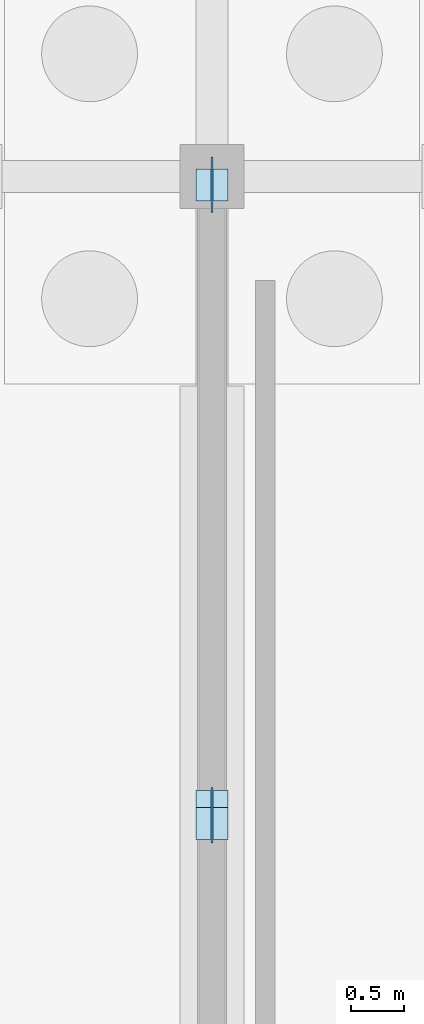
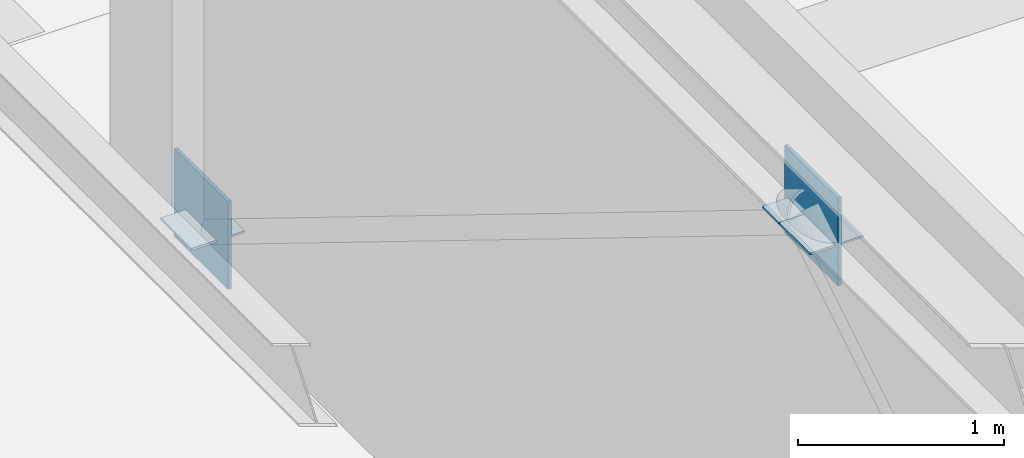
# One storey, part 24 of 40: 5 plates.
"""IFC4 building model written with IfcOpenShell, lengths in metres."""

from ifc_helpers import new_model, si_unit, direction, frame, origin, origin_2d, place, context, subcontext, project, spatial, rectangle, extrude, material, layer, layer_set, type_object, element, save


model = new_model("IFC4")

# Units and contexts
model_context = context("Model", 3, precision=1e-05, world=origin(), true_north=direction((0.0, 1.0)))
body_context = subcontext(model_context, "Body", "Model", "MODEL_VIEW")
ifc_project = project(units=[si_unit("LENGTHUNIT", "METRE"), si_unit("AREAUNIT", "SQUARE_METRE"), si_unit("VOLUMEUNIT", "CUBIC_METRE"), si_unit("PLANEANGLEUNIT", "RADIAN"), si_unit("MASSUNIT", "GRAM", prefix="KILO")], contexts=[model_context])

# Site, building, storey
site_placement = place(None, origin())
site = spatial("IfcSite", under=ifc_project, at=site_placement, CompositionType="ELEMENT")
building_placement = place(site_placement, origin())
building = spatial("IfcBuilding", under=site, at=building_placement, Name="Montelvaro Courts of Justice", CompositionType="ELEMENT")
storey_placement = place(building_placement, frame((0.0, 0.0, -4.5)))
storey = spatial("IfcBuildingStorey", under=building, at=storey_placement, Name="B01", CompositionType="ELEMENT", Elevation=-4.5)

# Plates
ifc_material = material(Name="Steel S355", Category="steel")
ifc_layer_1 = layer(ifc_material, 0.011962890625)
ifc_layer_set_1 = layer_set([ifc_layer_1], Name="Steel S355")
plate_type_1 = type_object("IfcPlateType", Name="EndCapPlate_12", PredefinedType="USERDEFINED", material=ifc_layer_set_1)
for number, where, z_axis, x_axis, name in (
    (1, (117.0, 59.919921875, 3.80419921875), (0.0, 0.0, 1.0), (1.0, 0.0, 0.0), "Brace End Cap Plate CP-01 CBF4-B01-1B"),
    (2, (117.0, 65.919921875, 0.19384765625), (0.0, 0.0, 1.0), (1.0, 0.0, 0.0), "Brace End Cap Plate CP-01 CBF4-B01-2A"),
    (3, (117.0, 60.080078125, 3.80419921875), (0.0, 0.0, 1.0), (1.0, 0.0, 0.0), "Brace End Cap Plate CP-01 CBF4-B01-2B"),
):
    element("IfcPlate", number, at=place(storey_placement, frame(where, z_axis=z_axis, x_axis=x_axis)), inside=storey, type_object=plate_type_1, Name=name, ObjectType="GUSSET PLATE", PredefinedType="USERDEFINED", context=body_context, shape_type="SweptSolid", body=[
        extrude(rectangle(XDim=0.300048828125, YDim=0.300048828125, at=origin_2d()), origin(), (0.0, 0.0, 1.0), 0.011962890625),
    ])
ifc_layer_2 = layer(ifc_material, 0.02001953125)
ifc_layer_set_2 = layer_set([ifc_layer_2], Name="Steel S355")
plate_type_2 = type_object("IfcPlateType", Name="GussetPlate_20", PredefinedType="USERDEFINED", material=ifc_layer_set_2)
for number, where, z_axis, x_axis, name in (
    (4, (117.0, 65.919921875, -0.02001953125), (0.0, 0.0, 1.0), (1.0, 0.0, 0.0), "Chevron Brace Base Gusset Plate GP-01 CBF4-B01-B2"),
    (5, (117.0, 60.0, 3.590087890625), (0.0, 0.0, 1.0), (1.0, 0.0, 0.0), "Chevron Brace Gusset Plate GP-01 CBF4-B01"),
):
    element("IfcPlate", number, at=place(storey_placement, frame(where, z_axis=z_axis, x_axis=x_axis)), inside=storey, type_object=plate_type_2, Name=name, ObjectType="GUSSET PLATE", PredefinedType="USERDEFINED", context=body_context, shape_type="SweptSolid", body=[
        extrude(rectangle(XDim=0.02001953125, YDim=0.52001953125, at=origin_2d()), origin(), (0.0, 0.0, 1.0), 0.52001953125),
    ])

save(model, "model.ifc")
